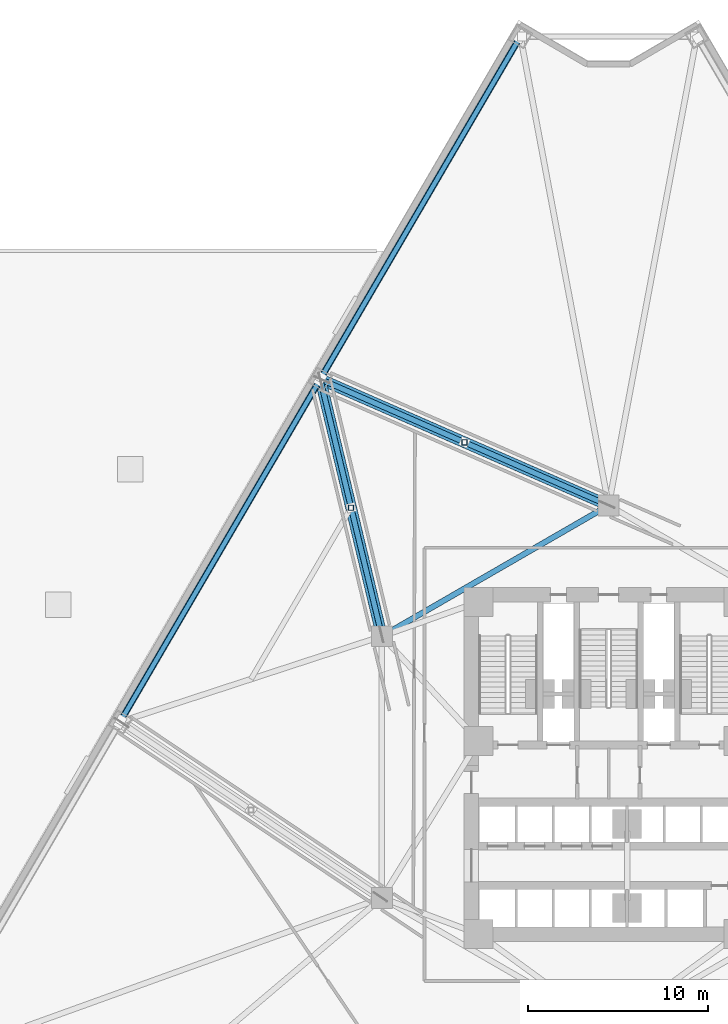
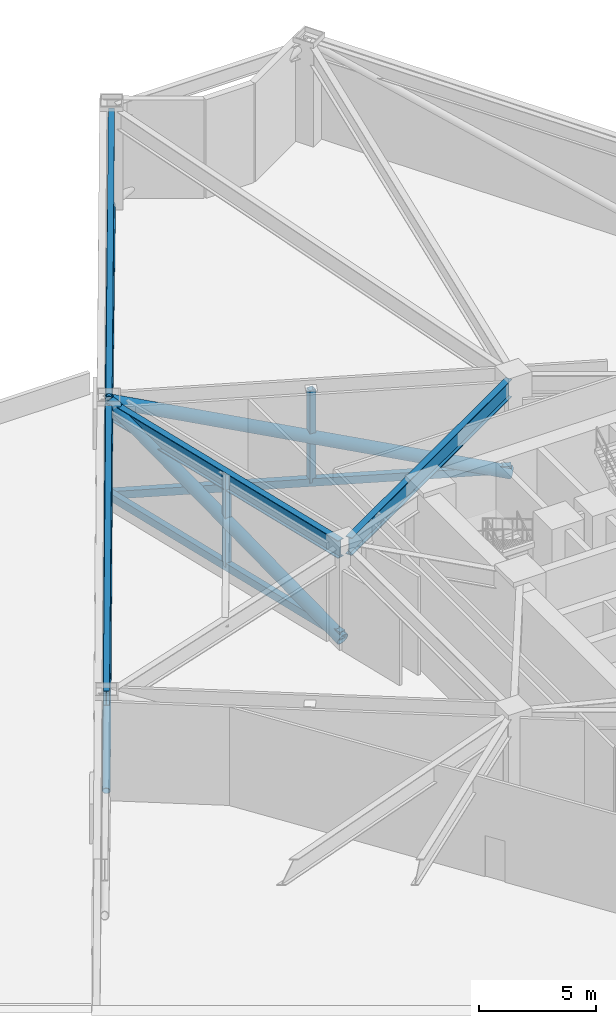
# One storey, part 5 of 23: 8 members, 4 beams.
"""IFC4 building model written with IfcOpenShell, lengths in metres."""

from ifc_helpers import new_model, si_unit, direction, frame, origin, origin_2d, place, context, subcontext, project, spatial, hollow_rectangle, hollow_circle, i_section, extrude, material, material_profile, profile_set, type_object, element, save


model = new_model("IFC4")

# Units and contexts
model_context = context("Model", 3, precision=1e-05, world=origin(), true_north=direction((0.0, 1.0)))
body_context = subcontext(model_context, "Body", "Model", "MODEL_VIEW")
ifc_project = project(units=[si_unit("LENGTHUNIT", "METRE"), si_unit("AREAUNIT", "SQUARE_METRE"), si_unit("VOLUMEUNIT", "CUBIC_METRE"), si_unit("PLANEANGLEUNIT", "RADIAN"), si_unit("MASSUNIT", "GRAM", prefix="KILO")], contexts=[model_context])

# Site, building, storey
site_placement = place(None, origin())
site = spatial("IfcSite", under=ifc_project, at=site_placement, CompositionType="ELEMENT")
building_placement = place(site_placement, origin())
building = spatial("IfcBuilding", under=site, at=building_placement, Name="Apsidion Concourse Tower", CompositionType="ELEMENT")
storey_placement = place(building_placement, frame((0.0, 0.0, 29.0)))
storey = spatial("IfcBuildingStorey", under=building, at=storey_placement, Name="L05", CompositionType="ELEMENT", Elevation=29.0)

# Beams
ifc_material_1 = material(Name="Structural steel ASTM A992 Grade 50", Category="steel")
ifc_material_profile_1 = material_profile(ifc_material_1, i_section(OverallWidth=0.31005859375, OverallDepth=0.931884765625, WebThickness=0.02099609375, FlangeThickness=0.034423828125, at=origin_2d()), Name="W36X210")
ifc_profile_set_1 = profile_set([ifc_material_profile_1], Name="Structural steel ASTM A992 Grade 50")
beam_type_1 = type_object("IfcBeamType", Name="BM-G-W36", PredefinedType="USERDEFINED", material=ifc_profile_set_1)
beam_1_placement = place(storey_placement, frame((-12.213623046875, 7.449951171875, 4.68408203125), z_axis=(0.866070471464, 0.499921932364, 0.0), x_axis=(-0.499921932364, 0.866070471464, 0.0)))
element("IfcBeam", 1, at=beam_1_placement, inside=storey, type_object=beam_type_1, Name="L05 Core Coupling Girder IC5-IC4", ObjectType="GIRDER", PredefinedType="USERDEFINED", context=body_context, shape_type="SweptSolid", body=[
    extrude(i_section(OverallWidth=0.31005859375, OverallDepth=0.931884765625, WebThickness=0.02099609375, FlangeThickness=0.034423828125, at=origin_2d()), origin(), (0.0, 0.0, 1.0), 13.702392578125),
])
beam_2_placement = place(storey_placement, frame((-12.611328125, 7.4638671875, 4.68408203125), z_axis=(-0.233233219452, 0.972420827288, 0.0), x_axis=(-0.972420827288, -0.233233219452, 0.0)))
element("IfcBeam", 2, at=beam_2_placement, inside=storey, type_object=beam_type_1, Name="L05 Radial Floor Girder RAD-02", ObjectType="GIRDER", PredefinedType="USERDEFINED", context=body_context, shape_type="SweptSolid", body=[
    extrude(i_section(OverallWidth=0.31005859375, OverallDepth=0.931884765625, WebThickness=0.02099609375, FlangeThickness=0.034423828125, at=origin_2d()), origin(), (0.0, 0.0, 1.0), 14.207763671875),
])
ifc_material_profile_2 = material_profile(ifc_material_1, i_section(OverallWidth=0.26806640625, OverallDepth=0.77001953125, WebThickness=0.015625, FlangeThickness=0.025390625, at=origin_2d()), Name="W30X132")
ifc_profile_set_2 = profile_set([ifc_material_profile_2], Name="Structural steel ASTM A992 Grade 50")
beam_type_2 = type_object("IfcBeamType", Name="BM-SP-W30", PredefinedType="SPANDREL", material=ifc_profile_set_2)
for number, where, z_axis, x_axis, name in (
    (3, (-4.998291015625, 40.291015625, 4.764892578125), (-0.504316170532, -0.863519079198, 0.0), (0.863519079198, -0.504316170532, 0.0), "L05 Perimeter Spandrel Girder SP-01"),
    (4, (-16.087158203125, 21.3037109375, 4.764892578125), (-0.504316170532, -0.863519079198, 0.0), (0.863519079198, -0.504316170532, 0.0), "L05 Perimeter Spandrel Girder SP-02"),
):
    element("IfcBeam", number, at=place(storey_placement, frame(where, z_axis=z_axis, x_axis=x_axis)), inside=storey, type_object=beam_type_2, Name=name, PredefinedType="SPANDREL", context=body_context, shape_type="SweptSolid", body=[
        extrude(i_section(OverallWidth=0.26806640625, OverallDepth=0.77001953125, WebThickness=0.015625, FlangeThickness=0.025390625, at=origin_2d()), origin(), (0.0, 0.0, 1.0), 21.54833984375),
    ])

# Members
ifc_material_2 = material(Name="Structural steel ASTM A500 Grade C", Category="steel")
ifc_material_profile_3 = material_profile(ifc_material_2, hollow_circle(Radius=0.177978515625, WallThickness=0.02001953125, at=origin_2d()), Name="CHS356X20")
ifc_profile_set_3 = profile_set([ifc_material_profile_3], Name="Structural steel ASTM A500 Grade C")
member_type_1 = type_object("IfcMemberType", Name="MB-BR-CHS356", PredefinedType="BRACE", material=ifc_profile_set_3)
for number, where, z_axis, x_axis, name in (
    (5, (-4.93798828125, 40.394775390625, 0.0), (-0.491277326091, -0.841227550442, 0.225793705066), (0.863528041504, -0.504300824446, 0.0), "L05 Perimeter Belt-Truss Diagonal BT-01"),
    (6, (-27.014892578125, 2.5927734375, 0.0), (0.491298399655, 0.84121533663, 0.225793356667), (-0.863515432332, 0.504322414855, 0.0), "L05 Perimeter Belt-Truss Diagonal BT-02"),
):
    element("IfcMember", number, at=place(storey_placement, frame(where, z_axis=z_axis, x_axis=x_axis)), inside=storey, type_object=member_type_1, Name=name, PredefinedType="BRACE", context=body_context, shape_type="SweptSolid", body=[
        extrude(hollow_circle(Radius=0.177978515625, WallThickness=0.02001953125, at=origin_2d()), origin(), (0.0, 0.0, 1.0), 22.36572265625),
    ])
ifc_material_3 = material(Name="Structural steel ASTM A572 Grade 50", Category="steel")
ifc_material_profile_4 = material_profile(ifc_material_3, hollow_circle(Radius=0.304931640625, WallThickness=0.031982421875, at=origin_2d()), Name="CHS610X32")
ifc_profile_set_4 = profile_set([ifc_material_profile_4], Name="Structural steel ASTM A572 Grade 50")
member_type_2 = type_object("IfcMemberType", Name="MB-BR-CHS610", PredefinedType="BRACE", material=ifc_profile_set_4)
member_1_placement = place(storey_placement, frame((-0.091552734375, 14.5400390625, 0.0), z_axis=(-0.879130730975, 0.384844781026, 0.281111458984), x_axis=(-0.401015688085, -0.916071186049, 0.0)))
element("IfcMember", 7, at=member_1_placement, inside=storey, type_object=member_type_2, Name="L05 Radial Outrigger Truss Diagonal OT-04", PredefinedType="BRACE", context=body_context, shape_type="SweptSolid", body=[
    extrude(hollow_circle(Radius=0.304931640625, WallThickness=0.031982421875, at=origin_2d()), origin(), (0.0, 0.0, 1.0), 17.964599609375),
])
member_2_placement = place(storey_placement, frame((-12.583251953125, 7.34716796875, 0.0), z_axis=(-0.220166334335, 0.917960576413, 0.329962369637), x_axis=(-0.972421956783, -0.233228510192, 0.0)))
element("IfcMember", 8, at=member_2_placement, inside=storey, type_object=member_type_2, Name="L05 Radial Outrigger Truss Diagonal OT-05", PredefinedType="BRACE", context=body_context, shape_type="SweptSolid", body=[
    extrude(hollow_circle(Radius=0.304931640625, WallThickness=0.031982421875, at=origin_2d()), origin(), (0.0, 0.0, 1.0), 15.304931640625),
])
ifc_material_profile_5 = material_profile(ifc_material_2, hollow_rectangle(XDim=0.300048828125, YDim=0.39990234375, WallThickness=0.02001953125, at=origin_2d()), Name="HSS400X300X20")
ifc_profile_set_5 = profile_set([ifc_material_profile_5], Name="Structural steel ASTM A500 Grade C")
member_type_3 = type_object("IfcMemberType", Name="MB-CH-HSS400", PredefinedType="CHORD", material=ifc_profile_set_5)
member_3_placement = place(storey_placement, frame((-0.091552734375, 14.5400390625, 0.219970703125), z_axis=(-0.916071186049, 0.401015688085, 0.0), x_axis=(-0.401015688085, -0.916071186049, 0.0)))
element("IfcMember", 9, at=member_3_placement, inside=storey, type_object=member_type_3, Name="L05 Radial Outrigger Bottom Chord OTC-04", PredefinedType="CHORD", context=body_context, shape_type="SweptSolid", body=[
    extrude(hollow_rectangle(XDim=0.300048828125, YDim=0.39990234375, WallThickness=0.02001953125, at=origin_2d()), origin(), (0.0, 0.0, 1.0), 17.240234375),
])
member_4_placement = place(storey_placement, frame((-12.583251953125, 7.34716796875, 0.219970703125), z_axis=(-0.233228510192, 0.972421956783, 0.0), x_axis=(-0.972421956783, -0.233228510192, 0.0)))
element("IfcMember", 10, at=member_4_placement, inside=storey, type_object=member_type_3, Name="L05 Radial Outrigger Bottom Chord OTC-05", PredefinedType="CHORD", context=body_context, shape_type="SweptSolid", body=[
    extrude(hollow_rectangle(XDim=0.300048828125, YDim=0.39990234375, WallThickness=0.02001953125, at=origin_2d()), origin(), (0.0, 0.0, 1.0), 14.44775390625),
])
ifc_material_profile_6 = material_profile(ifc_material_2, hollow_rectangle(XDim=0.300048828125, YDim=0.300048828125, WallThickness=0.02001953125, at=origin_2d()), Name="HSS300X300X20")
ifc_profile_set_6 = profile_set([ifc_material_profile_6], Name="Structural steel ASTM A500 Grade C")
member_type_4 = type_object("IfcMemberType", Name="MB-ST-HSS300", PredefinedType="STRUT", material=ifc_profile_set_6)
for number, where, z_axis, x_axis, name in (
    (11, (-7.98828125, 17.996826171875, 0.219970703125), (0.0, 0.0, 1.0), (1.0, 0.0, 0.0), "L05 Outrigger Truss Compression Strut OTV-04"),
    (12, (-14.26806640625, 14.371826171875, 0.219970703125), (0.0, 0.0, 1.0), (1.0, 0.0, 0.0), "L05 Outrigger Truss Compression Strut OTV-05"),
):
    element("IfcMember", number, at=place(storey_placement, frame(where, z_axis=z_axis, x_axis=x_axis)), inside=storey, type_object=member_type_4, Name=name, PredefinedType="STRUT", context=body_context, shape_type="SweptSolid", body=[
        extrude(hollow_rectangle(XDim=0.300048828125, YDim=0.300048828125, WallThickness=0.02001953125, at=origin_2d()), origin(), (0.0, 0.0, 1.0), 4.830078125),
    ])

save(model, "model.ifc")
